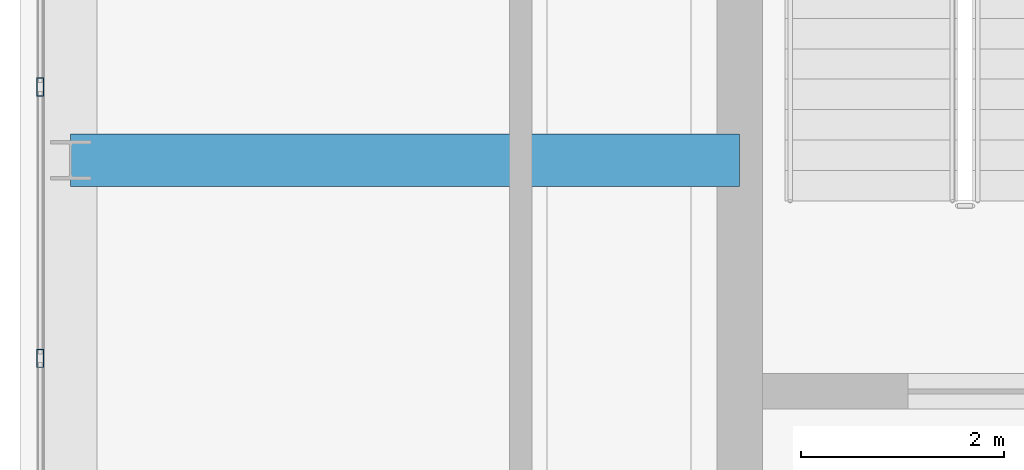
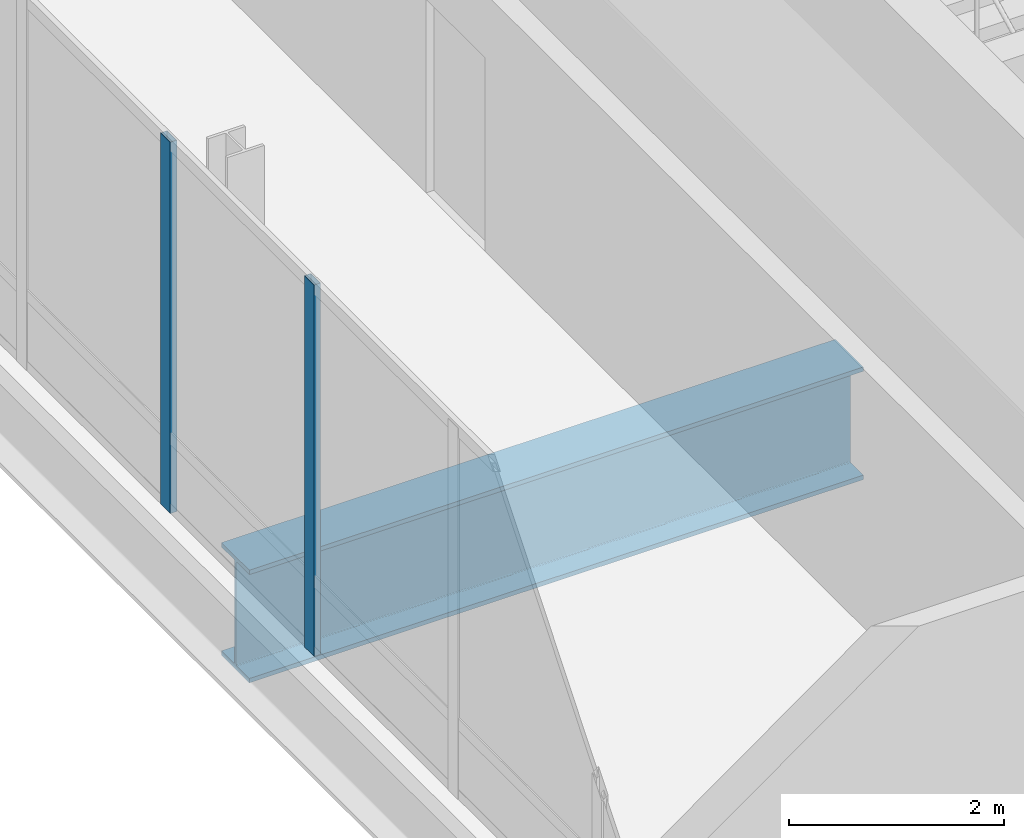
# One storey, part 3 of 25: 2 members, 1 beam, 1 element without a shape of its own.
"""IFC4 building model written with IfcOpenShell, lengths in metres."""

from ifc_helpers import new_model, si_unit, direction, frame, origin, origin_2d, place, context, subcontext, project, spatial, hollow_rectangle, i_section, extrude, material, material_profile, profile_set, type_object, element, aggregate, save


model = new_model("IFC4")

# Units and contexts
model_context = context("Model", 3, precision=1e-05, world=origin(), true_north=direction((0.0, 1.0)))
body_context = subcontext(model_context, "Body", "Model", "MODEL_VIEW")
ifc_project = project(units=[si_unit("LENGTHUNIT", "METRE"), si_unit("AREAUNIT", "SQUARE_METRE"), si_unit("VOLUMEUNIT", "CUBIC_METRE"), si_unit("PLANEANGLEUNIT", "RADIAN"), si_unit("MASSUNIT", "GRAM", prefix="KILO")], contexts=[model_context])

# Site, building, storey
site_placement = place(None, origin())
site = spatial("IfcSite", under=ifc_project, at=site_placement, CompositionType="ELEMENT")
building_placement = place(site_placement, origin())
building = spatial("IfcBuilding", under=site, at=building_placement, Name="Punatoya Terracotta Tower", CompositionType="ELEMENT")
storey_placement = place(building_placement, frame((0.0, 0.0, 357.300048828125)))
storey = spatial("IfcBuildingStorey", under=building, at=storey_placement, Name="L84", CompositionType="ELEMENT", Elevation=357.300048828125)

# Beam
ifc_material_1 = material(Name="Steel S460", Category="steel")
ifc_material_profile_1 = material_profile(ifc_material_1, i_section(OverallWidth=0.52001953125, OverallDepth=1.280029296875, WebThickness=0.031982421875, FlangeThickness=0.050048828125, FilletRadius=0.01806640625, at=origin_2d()))
ifc_profile_set_1 = profile_set([ifc_material_profile_1], Name="Steel S460")
beam_type = type_object("IfcBeamType", Name="BM-TG-NCK", PredefinedType="BEAM", material=ifc_profile_set_1)
beam_placement = place(storey_placement, frame((-16.800048828125, -3.39990234375, -0.860107421875), z_axis=(1.0, 0.0, 0.0), x_axis=(0.0, 1.0, 0.0)))
element("IfcBeam", 1, at=beam_placement, inside=storey, type_object=beam_type, Name="BM-L84-CW1", PredefinedType="BEAM", context=body_context, shape_type="SweptSolid", body=[
    extrude(i_section(OverallWidth=0.52001953125, OverallDepth=1.280029296875, WebThickness=0.031982421875, FlangeThickness=0.050048828125, FilletRadius=0.01806640625, at=origin_2d()), origin(), (0.0, 0.0, 1.0), 6.60009765625),
])

# Curtain wall, members
ifc_material_2 = material(Name="Aluminium 6063-T6 + Double Low-E Glass", Category="aluminium")
curtain_wall_type = type_object("IfcCurtainWallType", Name="CW-CRN", PredefinedType="NOTDEFINED", material=ifc_material_2)
curtain_wall_placement = place(storey_placement, origin())
curtain_wall = element("IfcCurtainWall", 2, at=curtain_wall_placement, inside=storey, type_object=curtain_wall_type, Name="L84 Curtain Wall CW-L84-W13-1", PredefinedType="NOTDEFINED")
ifc_material_3 = material(Name="Aluminium 6063-T6", Category="aluminium")
ifc_material_profile_2 = material_profile(ifc_material_3, hollow_rectangle(XDim=0.070068359375, YDim=0.179931640625, WallThickness=0.00390625, at=origin_2d()))
ifc_profile_set_2 = profile_set([ifc_material_profile_2], Name="Aluminium 6063-T6")
member_type = type_object("IfcMemberType", Name="CW-MUL-M3", PredefinedType="MULLION", material=ifc_profile_set_2)
member_1_placement = place(storey_placement, frame((-17.10009765625, -2.677490234375, 0.0), z_axis=(0.0, 0.0, 1.0), x_axis=(1.0, 0.0, 0.0)))
member_1 = element("IfcMember", 3, at=member_1_placement, type_object=member_type, Name="CW-L84-W13-1 Mullion 06", PredefinedType="MULLION", context=body_context, shape_type="SweptSolid", body=[
    extrude(hollow_rectangle(XDim=0.070068359375, YDim=0.179931640625, WallThickness=0.00390625, at=origin_2d()), origin(), (0.0, 0.0, 1.0), 4.219970703125),
])
member_2_placement = place(storey_placement, frame((-17.10009765625, -5.354736328125, 0.0), z_axis=(0.0, 0.0, 1.0), x_axis=(1.0, 0.0, 0.0)))
member_2 = element("IfcMember", 4, at=member_2_placement, type_object=member_type, Name="CW-L84-W13-1 Mullion 07", PredefinedType="MULLION", context=body_context, shape_type="SweptSolid", body=[
    extrude(hollow_rectangle(XDim=0.070068359375, YDim=0.179931640625, WallThickness=0.00390625, at=origin_2d()), origin(), (0.0, 0.0, 1.0), 4.219970703125),
])
aggregate(curtain_wall, [member_1, member_2])

save(model, "model.ifc")
